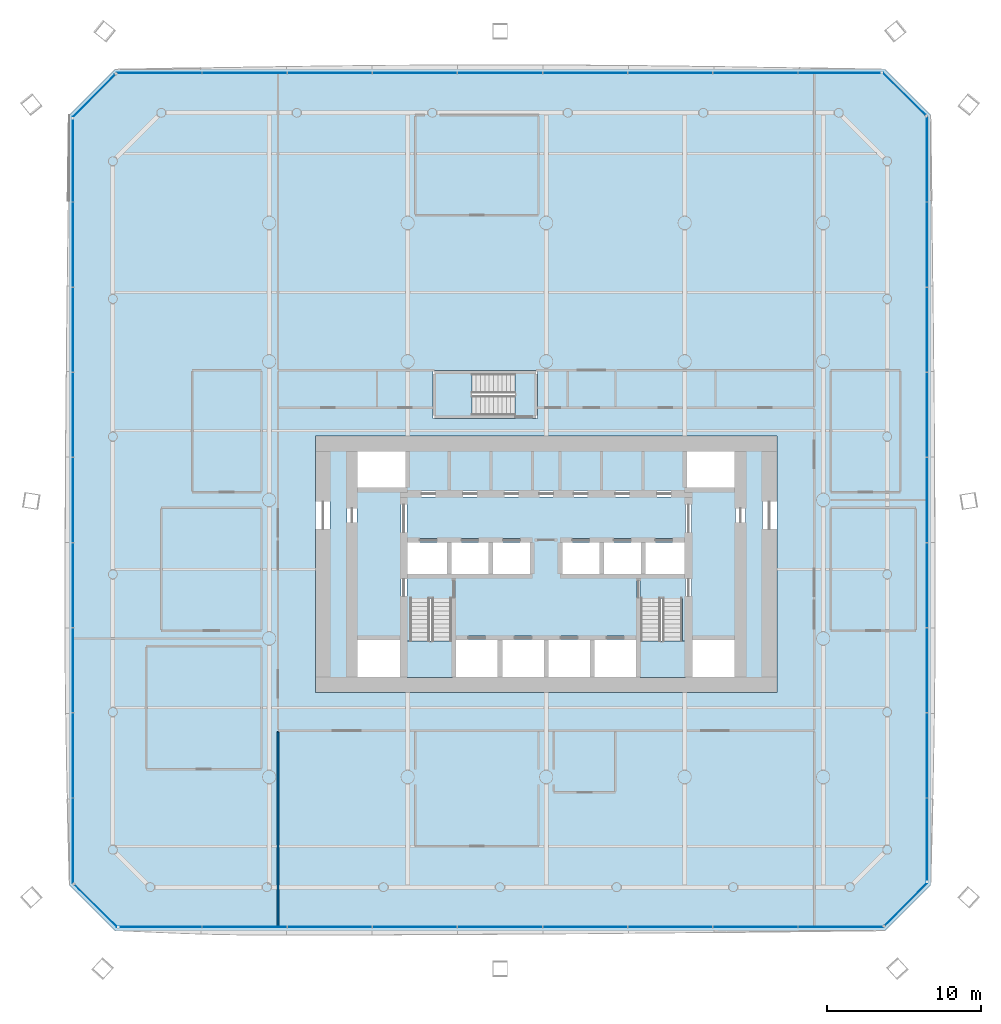
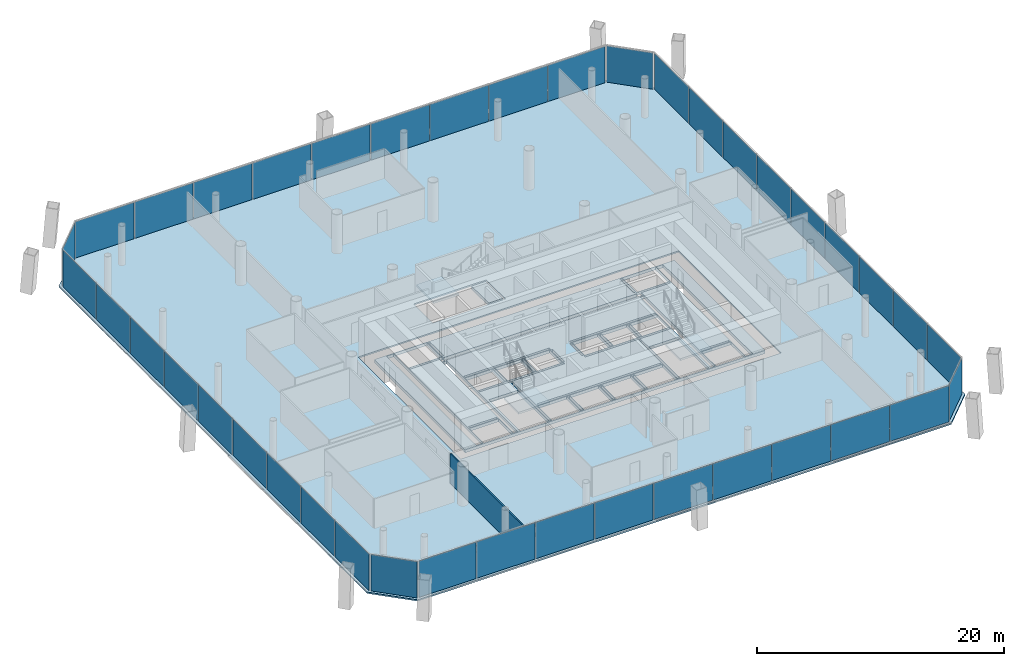
# One storey, part 13 of 22: 40 plates, 6 slabs, 1 wall, 11 elements without a shape of their own.
"""IFC4 building model written with IfcOpenShell, lengths in metres."""

from ifc_helpers import new_model, si_unit, direction, frame, frame_2d, origin, origin_2d, place, context, subcontext, project, spatial, polyline, rectangle, outline, extrude, material, layer, layer_set, type_object, element, aggregate, save


model = new_model("IFC4")

# Units and contexts
model_context = context("Model", 3, precision=1e-05, world=origin(), true_north=direction((0.0, 1.0)))
body_context = subcontext(model_context, "Body", "Model", "MODEL_VIEW")
ifc_project = project(units=[si_unit("LENGTHUNIT", "METRE"), si_unit("AREAUNIT", "SQUARE_METRE"), si_unit("VOLUMEUNIT", "CUBIC_METRE"), si_unit("PLANEANGLEUNIT", "RADIAN"), si_unit("MASSUNIT", "GRAM", prefix="KILO")], contexts=[model_context])

# Site, building, storey
site_placement = place(None, origin())
site = spatial("IfcSite", under=ifc_project, at=site_placement, CompositionType="ELEMENT")
building_placement = place(site_placement, origin())
building = spatial("IfcBuilding", under=site, at=building_placement, Name="Tskaro Facet Tower", CompositionType="ELEMENT")
storey_placement = place(building_placement, frame((0.0, 0.0, 18.60009765625)))
storey = spatial("IfcBuildingStorey", under=building, at=storey_placement, Name="L03", CompositionType="ELEMENT", Elevation=18.60009765625)

# Slab
ifc_material_1 = material(Name="Concrete C30/37", Category="concrete")
ifc_layer_1 = layer(ifc_material_1, 0.139892578125, Name="Concrete C30/37")
ifc_layer_set_1 = layer_set([ifc_layer_1], Name="Concrete C30/37")
slab_type_1 = type_object("IfcSlabType", Name="Composite deck floor slab", PredefinedType="FLOOR", material=ifc_layer_set_1)
slab_1_placement = place(storey_placement, frame((0.0, 0.0, -0.14013671875)))
element("IfcSlab", 1, at=slab_1_placement, inside=storey, type_object=slab_type_1, Name="Floor slab FS3 L03", PredefinedType="FLOOR", context=body_context, shape_type="SweptSolid", body=[
    extrude(outline(polyline([(-28.0, -28.0), (22.0, -28.0), (25.0, -25.0), (25.0, 25.0), (22.0, 28.0), (-28.0, 28.0), (-31.0, 25.0), (-31.0, -25.0), (-28.0, -28.0)]), holes=[polyline([(-15.0, -12.5), (15.0, -12.5), (15.0, 4.14990234375), (-15.0, 4.14990234375), (-15.0, -12.5)]), polyline([(-7.35009765625, 5.300048828125), (-0.550048828125, 5.300048828125), (-0.550048828125, 8.39990234375), (-7.35009765625, 8.39990234375), (-7.35009765625, 5.300048828125)])]), origin(), (0.0, 0.0, 1.0), 0.14013671875),
])

# Curtain wall, plates
ifc_material_2 = material(Name="Bronze anodised aluminium 6063-T6", Category="aluminium")
curtain_wall_type = type_object("IfcCurtainWallType", Name="Bronze office curtain wall (FW1)", PredefinedType="NOTDEFINED", material=ifc_material_2)
curtain_wall_1_placement = place(storey_placement, origin())
curtain_wall_1 = element("IfcCurtainWall", 2, at=curtain_wall_1_placement, inside=storey, type_object=curtain_wall_type, Name="FW1 south facet L03", PredefinedType="NOTDEFINED")
ifc_material_3 = material(Name="Bronze tinted glass", Category="glass")
ifc_layer_2 = layer(ifc_material_3, 0.031982421875, Name="Bronze tinted glass")
ifc_layer_set_2 = layer_set([ifc_layer_2], Name="Bronze tinted glass")
plate_type = type_object("IfcPlateType", Name="FW1 bronze-tinted unit glazing 32", PredefinedType="CURTAIN_PANEL", material=ifc_layer_set_2)
plate_1_placement = place(storey_placement, frame((-25.064697265625, -27.75, -0.000244140625), z_axis=(0.0, 0.0, 1.0), x_axis=(1.0, 0.0, 0.0)))
plate_1 = element("IfcPlate", 3, at=plate_1_placement, type_object=plate_type, Name="FW1 south glazing 1.1", PredefinedType="CURTAIN_PANEL", context=body_context, shape_type="SweptSolid", body=[
    extrude(rectangle(XDim=5.342529296875, YDim=0.031982421875, at=origin_2d()), origin(), (0.0, 0.0, 1.0), 3.60009765625),
])
plate_2_placement = place(storey_placement, frame((-19.597412109375, -27.75, -0.000244140625), z_axis=(0.0, 0.0, 1.0), x_axis=(1.0, 0.0, 0.0)))
plate_2 = element("IfcPlate", 4, at=plate_2_placement, type_object=plate_type, Name="FW1 south glazing 2.1", PredefinedType="CURTAIN_PANEL", context=body_context, shape_type="SweptSolid", body=[
    extrude(rectangle(XDim=5.472412109375, YDim=0.031982421875, at=origin_2d()), origin(), (0.0, 0.0, 1.0), 3.60009765625),
])
plate_3_placement = place(storey_placement, frame((-14.06494140625, -27.75, -0.000244140625), z_axis=(0.0, 0.0, 1.0), x_axis=(1.0, 0.0, 0.0)))
plate_3 = element("IfcPlate", 5, at=plate_3_placement, type_object=plate_type, Name="FW1 south glazing 3.1", PredefinedType="CURTAIN_PANEL", context=body_context, shape_type="SweptSolid", body=[
    extrude(rectangle(XDim=5.472412109375, YDim=0.031982421875, at=origin_2d()), origin(), (0.0, 0.0, 1.0), 3.60009765625),
])
plate_4_placement = place(storey_placement, frame((-8.532470703125, -27.75, -0.000244140625), z_axis=(0.0, 0.0, 1.0), x_axis=(1.0, 0.0, 0.0)))
plate_4 = element("IfcPlate", 6, at=plate_4_placement, type_object=plate_type, Name="FW1 south glazing 4.1", PredefinedType="CURTAIN_PANEL", context=body_context, shape_type="SweptSolid", body=[
    extrude(rectangle(XDim=5.472412109375, YDim=0.031982421875, at=origin_2d()), origin(), (0.0, 0.0, 1.0), 3.60009765625),
])
plate_5_placement = place(storey_placement, frame((-3.0, -27.75, -0.000244140625), z_axis=(0.0, 0.0, 1.0), x_axis=(1.0, 0.0, 0.0)))
plate_5 = element("IfcPlate", 7, at=plate_5_placement, type_object=plate_type, Name="FW1 south glazing 5.1", PredefinedType="CURTAIN_PANEL", context=body_context, shape_type="SweptSolid", body=[
    extrude(rectangle(XDim=5.472412109375, YDim=0.031982421875, at=origin_2d()), origin(), (0.0, 0.0, 1.0), 3.60009765625),
])
plate_6_placement = place(storey_placement, frame((2.532470703125, -27.75, -0.000244140625), z_axis=(0.0, 0.0, 1.0), x_axis=(1.0, 0.0, 0.0)))
plate_6 = element("IfcPlate", 8, at=plate_6_placement, type_object=plate_type, Name="FW1 south glazing 6.1", PredefinedType="CURTAIN_PANEL", context=body_context, shape_type="SweptSolid", body=[
    extrude(rectangle(XDim=5.472412109375, YDim=0.031982421875, at=origin_2d()), origin(), (0.0, 0.0, 1.0), 3.60009765625),
])
plate_7_placement = place(storey_placement, frame((8.06494140625, -27.75, -0.000244140625), z_axis=(0.0, 0.0, 1.0), x_axis=(1.0, 0.0, 0.0)))
plate_7 = element("IfcPlate", 9, at=plate_7_placement, type_object=plate_type, Name="FW1 south glazing 7.1", PredefinedType="CURTAIN_PANEL", context=body_context, shape_type="SweptSolid", body=[
    extrude(rectangle(XDim=5.472412109375, YDim=0.031982421875, at=origin_2d()), origin(), (0.0, 0.0, 1.0), 3.60009765625),
])
plate_8_placement = place(storey_placement, frame((13.597412109375, -27.75, -0.000244140625), z_axis=(0.0, 0.0, 1.0), x_axis=(1.0, 0.0, 0.0)))
plate_8 = element("IfcPlate", 10, at=plate_8_placement, type_object=plate_type, Name="FW1 south glazing 8.1", PredefinedType="CURTAIN_PANEL", context=body_context, shape_type="SweptSolid", body=[
    extrude(rectangle(XDim=5.472412109375, YDim=0.031982421875, at=origin_2d()), origin(), (0.0, 0.0, 1.0), 3.60009765625),
])
plate_9_placement = place(storey_placement, frame((19.144775390625, -27.75, -0.000244140625), z_axis=(0.0, 0.0, 1.0), x_axis=(1.0, 0.0, 0.0)))
plate_9 = element("IfcPlate", 11, at=plate_9_placement, type_object=plate_type, Name="FW1 south glazing 9.1", PredefinedType="CURTAIN_PANEL", context=body_context, shape_type="SweptSolid", body=[
    extrude(rectangle(XDim=5.50244140625, YDim=0.031982421875, at=origin_2d()), origin(), (0.0, 0.0, 1.0), 3.60009765625),
])
aggregate(curtain_wall_1, [plate_1, plate_2, plate_3, plate_4, plate_5, plate_6, plate_7, plate_8, plate_9])

# Curtain wall, plate
curtain_wall_2_placement = place(storey_placement, origin())
curtain_wall_2 = element("IfcCurtainWall", 12, at=curtain_wall_2_placement, inside=storey, type_object=curtain_wall_type, Name="FW1 south-east facet L03", PredefinedType="NOTDEFINED")
plate_10_placement = place(storey_placement, frame((23.379638671875, -26.266357421875, -0.000244140625), z_axis=(0.0, 0.0, 1.0), x_axis=(0.707106781187, 0.707106781187, 0.0)))
plate_10 = element("IfcPlate", 13, at=plate_10_placement, type_object=plate_type, Name="FW1 south-east glazing 1.1", PredefinedType="CURTAIN_PANEL", context=body_context, shape_type="SweptSolid", body=[
    extrude(rectangle(XDim=3.876220703125, YDim=0.031982421875, at=origin_2d()), origin(), (0.0, 0.0, 1.0), 3.60009765625),
])
aggregate(curtain_wall_2, [plate_10])

# Curtain wall, plates
curtain_wall_3_placement = place(storey_placement, origin())
curtain_wall_3 = element("IfcCurtainWall", 14, at=curtain_wall_3_placement, inside=storey, type_object=curtain_wall_type, Name="FW1 east facet L03", PredefinedType="NOTDEFINED")
plate_11_placement = place(storey_placement, frame((24.75, -22.064697265625, -0.000244140625), z_axis=(0.0, 0.0, 1.0), x_axis=(0.0, 1.0, 0.0)))
plate_11 = element("IfcPlate", 15, at=plate_11_placement, type_object=plate_type, Name="FW1 east glazing 1.1", PredefinedType="CURTAIN_PANEL", context=body_context, shape_type="SweptSolid", body=[
    extrude(rectangle(XDim=5.342529296875, YDim=0.031982421875, at=origin_2d()), origin(), (0.0, 0.0, 1.0), 3.60009765625),
])
plate_12_placement = place(storey_placement, frame((24.75, -16.597412109375, -0.000244140625), z_axis=(0.0, 0.0, 1.0), x_axis=(0.0, 1.0, 0.0)))
plate_12 = element("IfcPlate", 16, at=plate_12_placement, type_object=plate_type, Name="FW1 east glazing 2.1", PredefinedType="CURTAIN_PANEL", context=body_context, shape_type="SweptSolid", body=[
    extrude(rectangle(XDim=5.472412109375, YDim=0.031982421875, at=origin_2d()), origin(), (0.0, 0.0, 1.0), 3.60009765625),
])
plate_13_placement = place(storey_placement, frame((24.75, -11.06494140625, -0.000244140625), z_axis=(0.0, 0.0, 1.0), x_axis=(0.0, 1.0, 0.0)))
plate_13 = element("IfcPlate", 17, at=plate_13_placement, type_object=plate_type, Name="FW1 east glazing 3.1", PredefinedType="CURTAIN_PANEL", context=body_context, shape_type="SweptSolid", body=[
    extrude(rectangle(XDim=5.472412109375, YDim=0.031982421875, at=origin_2d()), origin(), (0.0, 0.0, 1.0), 3.60009765625),
])
plate_14_placement = place(storey_placement, frame((24.75, -5.532470703125, -0.000244140625), z_axis=(0.0, 0.0, 1.0), x_axis=(0.0, 1.0, 0.0)))
plate_14 = element("IfcPlate", 18, at=plate_14_placement, type_object=plate_type, Name="FW1 east glazing 4.1", PredefinedType="CURTAIN_PANEL", context=body_context, shape_type="SweptSolid", body=[
    extrude(rectangle(XDim=5.472412109375, YDim=0.031982421875, at=origin_2d()), origin(), (0.0, 0.0, 1.0), 3.60009765625),
])
plate_15_placement = place(storey_placement, frame((24.75, 0.0, -0.000244140625), z_axis=(0.0, 0.0, 1.0), x_axis=(0.0, 1.0, 0.0)))
plate_15 = element("IfcPlate", 19, at=plate_15_placement, type_object=plate_type, Name="FW1 east glazing 5.1", PredefinedType="CURTAIN_PANEL", context=body_context, shape_type="SweptSolid", body=[
    extrude(rectangle(XDim=5.472412109375, YDim=0.031982421875, at=origin_2d()), origin(), (0.0, 0.0, 1.0), 3.60009765625),
])
plate_16_placement = place(storey_placement, frame((24.75, 5.532470703125, -0.000244140625), z_axis=(0.0, 0.0, 1.0), x_axis=(0.0, 1.0, 0.0)))
plate_16 = element("IfcPlate", 20, at=plate_16_placement, type_object=plate_type, Name="FW1 east glazing 6.1", PredefinedType="CURTAIN_PANEL", context=body_context, shape_type="SweptSolid", body=[
    extrude(rectangle(XDim=5.472412109375, YDim=0.031982421875, at=origin_2d()), origin(), (0.0, 0.0, 1.0), 3.60009765625),
])
plate_17_placement = place(storey_placement, frame((24.75, 11.06494140625, -0.000244140625), z_axis=(0.0, 0.0, 1.0), x_axis=(0.0, 1.0, 0.0)))
plate_17 = element("IfcPlate", 21, at=plate_17_placement, type_object=plate_type, Name="FW1 east glazing 7.1", PredefinedType="CURTAIN_PANEL", context=body_context, shape_type="SweptSolid", body=[
    extrude(rectangle(XDim=5.472412109375, YDim=0.031982421875, at=origin_2d()), origin(), (0.0, 0.0, 1.0), 3.60009765625),
])
plate_18_placement = place(storey_placement, frame((24.75, 16.597412109375, -0.000244140625), z_axis=(0.0, 0.0, 1.0), x_axis=(0.0, 1.0, 0.0)))
plate_18 = element("IfcPlate", 22, at=plate_18_placement, type_object=plate_type, Name="FW1 east glazing 8.1", PredefinedType="CURTAIN_PANEL", context=body_context, shape_type="SweptSolid", body=[
    extrude(rectangle(XDim=5.472412109375, YDim=0.031982421875, at=origin_2d()), origin(), (0.0, 0.0, 1.0), 3.60009765625),
])
plate_19_placement = place(storey_placement, frame((24.75, 22.144775390625, -0.000244140625), z_axis=(0.0, 0.0, 1.0), x_axis=(0.0, 1.0, 0.0)))
plate_19 = element("IfcPlate", 23, at=plate_19_placement, type_object=plate_type, Name="FW1 east glazing 9.1", PredefinedType="CURTAIN_PANEL", context=body_context, shape_type="SweptSolid", body=[
    extrude(rectangle(XDim=5.50244140625, YDim=0.031982421875, at=origin_2d()), origin(), (0.0, 0.0, 1.0), 3.60009765625),
])
aggregate(curtain_wall_3, [plate_11, plate_12, plate_13, plate_14, plate_15, plate_16, plate_17, plate_18, plate_19])

# Curtain wall, plate
curtain_wall_4_placement = place(storey_placement, origin())
curtain_wall_4 = element("IfcCurtainWall", 24, at=curtain_wall_4_placement, inside=storey, type_object=curtain_wall_type, Name="FW1 north-east facet L03", PredefinedType="NOTDEFINED")
plate_20_placement = place(storey_placement, frame((23.266357421875, 26.379638671875, -0.000244140625), z_axis=(0.0, 0.0, 1.0), x_axis=(-0.707106781187, 0.707106781187, 0.0)))
plate_20 = element("IfcPlate", 25, at=plate_20_placement, type_object=plate_type, Name="FW1 north-east glazing 1.1", PredefinedType="CURTAIN_PANEL", context=body_context, shape_type="SweptSolid", body=[
    extrude(rectangle(XDim=3.876220703125, YDim=0.031982421875, at=origin_2d()), origin(), (0.0, 0.0, 1.0), 3.60009765625),
])
aggregate(curtain_wall_4, [plate_20])

# Curtain wall, plates
curtain_wall_5_placement = place(storey_placement, origin())
curtain_wall_5 = element("IfcCurtainWall", 26, at=curtain_wall_5_placement, inside=storey, type_object=curtain_wall_type, Name="FW1 north facet L03", PredefinedType="NOTDEFINED")
plate_21_placement = place(storey_placement, frame((19.064697265625, 27.75, -0.000244140625), z_axis=(0.0, 0.0, 1.0), x_axis=(-1.0, 0.0, 0.0)))
plate_21 = element("IfcPlate", 27, at=plate_21_placement, type_object=plate_type, Name="FW1 north glazing 1.1", PredefinedType="CURTAIN_PANEL", context=body_context, shape_type="SweptSolid", body=[
    extrude(rectangle(XDim=5.342529296875, YDim=0.031982421875, at=origin_2d()), origin(), (0.0, 0.0, 1.0), 3.60009765625),
])
plate_22_placement = place(storey_placement, frame((13.597412109375, 27.75, -0.000244140625), z_axis=(0.0, 0.0, 1.0), x_axis=(-1.0, 0.0, 0.0)))
plate_22 = element("IfcPlate", 28, at=plate_22_placement, type_object=plate_type, Name="FW1 north glazing 2.1", PredefinedType="CURTAIN_PANEL", context=body_context, shape_type="SweptSolid", body=[
    extrude(rectangle(XDim=5.472412109375, YDim=0.031982421875, at=origin_2d()), origin(), (0.0, 0.0, 1.0), 3.60009765625),
])
plate_23_placement = place(storey_placement, frame((8.06494140625, 27.75, -0.000244140625), z_axis=(0.0, 0.0, 1.0), x_axis=(-1.0, 0.0, 0.0)))
plate_23 = element("IfcPlate", 29, at=plate_23_placement, type_object=plate_type, Name="FW1 north glazing 3.1", PredefinedType="CURTAIN_PANEL", context=body_context, shape_type="SweptSolid", body=[
    extrude(rectangle(XDim=5.472412109375, YDim=0.031982421875, at=origin_2d()), origin(), (0.0, 0.0, 1.0), 3.60009765625),
])
plate_24_placement = place(storey_placement, frame((2.532470703125, 27.75, -0.000244140625), z_axis=(0.0, 0.0, 1.0), x_axis=(-1.0, 0.0, 0.0)))
plate_24 = element("IfcPlate", 30, at=plate_24_placement, type_object=plate_type, Name="FW1 north glazing 4.1", PredefinedType="CURTAIN_PANEL", context=body_context, shape_type="SweptSolid", body=[
    extrude(rectangle(XDim=5.472412109375, YDim=0.031982421875, at=origin_2d()), origin(), (0.0, 0.0, 1.0), 3.60009765625),
])
plate_25_placement = place(storey_placement, frame((-3.0, 27.75, -0.000244140625), z_axis=(0.0, 0.0, 1.0), x_axis=(-1.0, 0.0, 0.0)))
plate_25 = element("IfcPlate", 31, at=plate_25_placement, type_object=plate_type, Name="FW1 north glazing 5.1", PredefinedType="CURTAIN_PANEL", context=body_context, shape_type="SweptSolid", body=[
    extrude(rectangle(XDim=5.472412109375, YDim=0.031982421875, at=origin_2d()), origin(), (0.0, 0.0, 1.0), 3.60009765625),
])
plate_26_placement = place(storey_placement, frame((-8.532470703125, 27.75, -0.000244140625), z_axis=(0.0, 0.0, 1.0), x_axis=(-1.0, 0.0, 0.0)))
plate_26 = element("IfcPlate", 32, at=plate_26_placement, type_object=plate_type, Name="FW1 north glazing 6.1", PredefinedType="CURTAIN_PANEL", context=body_context, shape_type="SweptSolid", body=[
    extrude(rectangle(XDim=5.472412109375, YDim=0.031982421875, at=origin_2d()), origin(), (0.0, 0.0, 1.0), 3.60009765625),
])
plate_27_placement = place(storey_placement, frame((-14.06494140625, 27.75, -0.000244140625), z_axis=(0.0, 0.0, 1.0), x_axis=(-1.0, 0.0, 0.0)))
plate_27 = element("IfcPlate", 33, at=plate_27_placement, type_object=plate_type, Name="FW1 north glazing 7.1", PredefinedType="CURTAIN_PANEL", context=body_context, shape_type="SweptSolid", body=[
    extrude(rectangle(XDim=5.472412109375, YDim=0.031982421875, at=origin_2d()), origin(), (0.0, 0.0, 1.0), 3.60009765625),
])
plate_28_placement = place(storey_placement, frame((-19.597412109375, 27.75, -0.000244140625), z_axis=(0.0, 0.0, 1.0), x_axis=(-1.0, 0.0, 0.0)))
plate_28 = element("IfcPlate", 34, at=plate_28_placement, type_object=plate_type, Name="FW1 north glazing 8.1", PredefinedType="CURTAIN_PANEL", context=body_context, shape_type="SweptSolid", body=[
    extrude(rectangle(XDim=5.472412109375, YDim=0.031982421875, at=origin_2d()), origin(), (0.0, 0.0, 1.0), 3.60009765625),
])
plate_29_placement = place(storey_placement, frame((-25.144775390625, 27.75, -0.000244140625), z_axis=(0.0, 0.0, 1.0), x_axis=(-1.0, 0.0, 0.0)))
plate_29 = element("IfcPlate", 35, at=plate_29_placement, type_object=plate_type, Name="FW1 north glazing 9.1", PredefinedType="CURTAIN_PANEL", context=body_context, shape_type="SweptSolid", body=[
    extrude(rectangle(XDim=5.50244140625, YDim=0.031982421875, at=origin_2d()), origin(), (0.0, 0.0, 1.0), 3.60009765625),
])
aggregate(curtain_wall_5, [plate_21, plate_22, plate_23, plate_24, plate_25, plate_26, plate_27, plate_28, plate_29])

# Curtain wall, plate
curtain_wall_6_placement = place(storey_placement, origin())
curtain_wall_6 = element("IfcCurtainWall", 36, at=curtain_wall_6_placement, inside=storey, type_object=curtain_wall_type, Name="FW1 north-west facet L03", PredefinedType="NOTDEFINED")
plate_30_placement = place(storey_placement, frame((-29.379638671875, 26.266357421875, -0.000244140625), z_axis=(0.0, 0.0, 1.0), x_axis=(-0.707106781187, -0.707106781187, 0.0)))
plate_30 = element("IfcPlate", 37, at=plate_30_placement, type_object=plate_type, Name="FW1 north-west glazing 1.1", PredefinedType="CURTAIN_PANEL", context=body_context, shape_type="SweptSolid", body=[
    extrude(rectangle(XDim=3.876220703125, YDim=0.031982421875, at=origin_2d()), origin(), (0.0, 0.0, 1.0), 3.60009765625),
])
aggregate(curtain_wall_6, [plate_30])

# Curtain wall, plates
curtain_wall_7_placement = place(storey_placement, origin())
curtain_wall_7 = element("IfcCurtainWall", 38, at=curtain_wall_7_placement, inside=storey, type_object=curtain_wall_type, Name="FW1 west facet L03", PredefinedType="NOTDEFINED")
plate_31_placement = place(storey_placement, frame((-30.75, 22.064697265625, -0.000244140625), z_axis=(0.0, 0.0, 1.0), x_axis=(0.0, -1.0, 0.0)))
plate_31 = element("IfcPlate", 39, at=plate_31_placement, type_object=plate_type, Name="FW1 west glazing 1.1", PredefinedType="CURTAIN_PANEL", context=body_context, shape_type="SweptSolid", body=[
    extrude(rectangle(XDim=5.342529296875, YDim=0.031982421875, at=origin_2d()), origin(), (0.0, 0.0, 1.0), 3.60009765625),
])
plate_32_placement = place(storey_placement, frame((-30.75, 16.597412109375, -0.000244140625), z_axis=(0.0, 0.0, 1.0), x_axis=(0.0, -1.0, 0.0)))
plate_32 = element("IfcPlate", 40, at=plate_32_placement, type_object=plate_type, Name="FW1 west glazing 2.1", PredefinedType="CURTAIN_PANEL", context=body_context, shape_type="SweptSolid", body=[
    extrude(rectangle(XDim=5.472412109375, YDim=0.031982421875, at=origin_2d()), origin(), (0.0, 0.0, 1.0), 3.60009765625),
])
plate_33_placement = place(storey_placement, frame((-30.75, 11.06494140625, -0.000244140625), z_axis=(0.0, 0.0, 1.0), x_axis=(0.0, -1.0, 0.0)))
plate_33 = element("IfcPlate", 41, at=plate_33_placement, type_object=plate_type, Name="FW1 west glazing 3.1", PredefinedType="CURTAIN_PANEL", context=body_context, shape_type="SweptSolid", body=[
    extrude(rectangle(XDim=5.472412109375, YDim=0.031982421875, at=origin_2d()), origin(), (0.0, 0.0, 1.0), 3.60009765625),
])
plate_34_placement = place(storey_placement, frame((-30.75, 5.532470703125, -0.000244140625), z_axis=(0.0, 0.0, 1.0), x_axis=(0.0, -1.0, 0.0)))
plate_34 = element("IfcPlate", 42, at=plate_34_placement, type_object=plate_type, Name="FW1 west glazing 4.1", PredefinedType="CURTAIN_PANEL", context=body_context, shape_type="SweptSolid", body=[
    extrude(rectangle(XDim=5.472412109375, YDim=0.031982421875, at=origin_2d()), origin(), (0.0, 0.0, 1.0), 3.60009765625),
])
plate_35_placement = place(storey_placement, frame((-30.75, 0.0, -0.000244140625), z_axis=(0.0, 0.0, 1.0), x_axis=(0.0, -1.0, 0.0)))
plate_35 = element("IfcPlate", 43, at=plate_35_placement, type_object=plate_type, Name="FW1 west glazing 5.1", PredefinedType="CURTAIN_PANEL", context=body_context, shape_type="SweptSolid", body=[
    extrude(rectangle(XDim=5.472412109375, YDim=0.031982421875, at=origin_2d()), origin(), (0.0, 0.0, 1.0), 3.60009765625),
])
plate_36_placement = place(storey_placement, frame((-30.75, -5.532470703125, -0.000244140625), z_axis=(0.0, 0.0, 1.0), x_axis=(0.0, -1.0, 0.0)))
plate_36 = element("IfcPlate", 44, at=plate_36_placement, type_object=plate_type, Name="FW1 west glazing 6.1", PredefinedType="CURTAIN_PANEL", context=body_context, shape_type="SweptSolid", body=[
    extrude(rectangle(XDim=5.472412109375, YDim=0.031982421875, at=origin_2d()), origin(), (0.0, 0.0, 1.0), 3.60009765625),
])
plate_37_placement = place(storey_placement, frame((-30.75, -11.06494140625, -0.000244140625), z_axis=(0.0, 0.0, 1.0), x_axis=(0.0, -1.0, 0.0)))
plate_37 = element("IfcPlate", 45, at=plate_37_placement, type_object=plate_type, Name="FW1 west glazing 7.1", PredefinedType="CURTAIN_PANEL", context=body_context, shape_type="SweptSolid", body=[
    extrude(rectangle(XDim=5.472412109375, YDim=0.031982421875, at=origin_2d()), origin(), (0.0, 0.0, 1.0), 3.60009765625),
])
plate_38_placement = place(storey_placement, frame((-30.75, -16.597412109375, -0.000244140625), z_axis=(0.0, 0.0, 1.0), x_axis=(0.0, -1.0, 0.0)))
plate_38 = element("IfcPlate", 46, at=plate_38_placement, type_object=plate_type, Name="FW1 west glazing 8.1", PredefinedType="CURTAIN_PANEL", context=body_context, shape_type="SweptSolid", body=[
    extrude(rectangle(XDim=5.472412109375, YDim=0.031982421875, at=origin_2d()), origin(), (0.0, 0.0, 1.0), 3.60009765625),
])
plate_39_placement = place(storey_placement, frame((-30.75, -22.144775390625, -0.000244140625), z_axis=(0.0, 0.0, 1.0), x_axis=(0.0, -1.0, 0.0)))
plate_39 = element("IfcPlate", 47, at=plate_39_placement, type_object=plate_type, Name="FW1 west glazing 9.1", PredefinedType="CURTAIN_PANEL", context=body_context, shape_type="SweptSolid", body=[
    extrude(rectangle(XDim=5.50244140625, YDim=0.031982421875, at=origin_2d()), origin(), (0.0, 0.0, 1.0), 3.60009765625),
])
aggregate(curtain_wall_7, [plate_31, plate_32, plate_33, plate_34, plate_35, plate_36, plate_37, plate_38, plate_39])

# Curtain wall, plate
curtain_wall_8_placement = place(storey_placement, origin())
curtain_wall_8 = element("IfcCurtainWall", 48, at=curtain_wall_8_placement, inside=storey, type_object=curtain_wall_type, Name="FW1 south-west facet L03", PredefinedType="NOTDEFINED")
plate_40_placement = place(storey_placement, frame((-29.266357421875, -26.379638671875, -0.000244140625), z_axis=(0.0, 0.0, 1.0), x_axis=(0.707106781187, -0.707106781187, 0.0)))
plate_40 = element("IfcPlate", 49, at=plate_40_placement, type_object=plate_type, Name="FW1 south-west glazing 1.1", PredefinedType="CURTAIN_PANEL", context=body_context, shape_type="SweptSolid", body=[
    extrude(rectangle(XDim=3.876220703125, YDim=0.031982421875, at=origin_2d()), origin(), (0.0, 0.0, 1.0), 3.60009765625),
])
aggregate(curtain_wall_8, [plate_40])

# Stair, slab
ifc_material_4 = material(Name="Concrete C40/50", Category="concrete")
stair_type = type_object("IfcStairType", Name="ST-TWR", PredefinedType="HALF_TURN_STAIR", material=ifc_material_4)
stair_1_placement = place(storey_placement, origin())
stair_1 = element("IfcStair", 50, at=stair_1_placement, inside=storey, type_object=stair_type, Name="L03 Exit stair 1", PredefinedType="HALF_TURN_STAIR")
ifc_layer_3 = layer(ifc_material_4, 0.199951171875, Name="Concrete C40/50")
ifc_layer_set_3 = layer_set([ifc_layer_3], Name="Concrete C40/50")
slab_type_2 = type_object("IfcSlabType", Name="SL-LANDING", PredefinedType="LANDING", material=ifc_layer_set_3)
slab_2_placement = place(storey_placement, frame((0.0, 0.0, 1.75)))
slab_2 = element("IfcSlab", 51, at=slab_2_placement, type_object=slab_type_2, Name="ST-1 landing 1", PredefinedType="LANDING", context=body_context, shape_type="SweptSolid", body=[
    extrude(outline(polyline([(-9.050048828125, -11.550048828125), (-6.10009765625, -11.550048828125), (-6.10009765625, -9.175048828125), (-9.050048828125, -9.175048828125), (-9.050048828125, -11.550048828125)])), origin(), (0.0, 0.0, 1.0), 0.199951171875),
])
aggregate(stair_1, [slab_2])

stair_2_placement = place(storey_placement, origin())
stair_2 = element("IfcStair", 52, at=stair_2_placement, inside=storey, type_object=stair_type, Name="L03 Exit stair 2", PredefinedType="HALF_TURN_STAIR")
slab_3_placement = place(storey_placement, frame((0.0, 0.0, 1.75)))
slab_3 = element("IfcSlab", 53, at=slab_3_placement, type_object=slab_type_2, Name="ST-2 landing 1", PredefinedType="LANDING", context=body_context, shape_type="SweptSolid", body=[
    extrude(outline(polyline([(6.10009765625, -11.550048828125), (9.050048828125, -11.550048828125), (9.050048828125, -9.175048828125), (6.10009765625, -9.175048828125), (6.10009765625, -11.550048828125)])), origin(), (0.0, 0.0, 1.0), 0.199951171875),
])
aggregate(stair_2, [slab_3])

stair_3_placement = place(storey_placement, origin())
stair_3 = element("IfcStair", 54, at=stair_3_placement, inside=storey, type_object=stair_type, Name="L03 Exit stair 3", PredefinedType="HALF_TURN_STAIR")
slab_4_placement = place(storey_placement, frame((0.0, 0.0, 1.75)))
slab_4 = element("IfcSlab", 55, at=slab_4_placement, type_object=slab_type_2, Name="ST-3 landing 1", PredefinedType="LANDING", context=body_context, shape_type="SweptSolid", body=[
    extrude(outline(polyline([(-7.199951171875, 5.449951171875), (-4.824951171875, 5.449951171875), (-4.824951171875, 8.25), (-7.199951171875, 8.25), (-7.199951171875, 5.449951171875)])), origin(), (0.0, 0.0, 1.0), 0.199951171875),
])
aggregate(stair_3, [slab_4])

# Slabs
ifc_material_5 = material(Name="Concrete C60/75", Category="concrete")
ifc_layer_4 = layer(ifc_material_5, 0.300048828125, Name="Concrete C60/75")
ifc_layer_set_4 = layer_set([ifc_layer_4], Name="Concrete C60/75")
slab_type_3 = type_object("IfcSlabType", Name="SLAB-CORE", PredefinedType="FLOOR", material=ifc_layer_set_4)
slab_5_placement = place(storey_placement, frame((0.0, 0.0, -0.300048828125)))
element("IfcSlab", 56, at=slab_5_placement, inside=storey, type_object=slab_type_3, Name="Core floor slab 1", PredefinedType="FLOOR", context=body_context, shape_type="SweptSolid", body=[
    extrude(outline(polyline([(-14.050048828125, 3.199951171875), (14.050048828125, 3.199951171875), (14.050048828125, 3.10009765625), (14.050048828125, -11.449951171875), (14.050048828125, -11.550048828125), (-14.050048828125, -11.550048828125), (-14.050048828125, -11.449951171875), (-14.050048828125, 3.10009765625), (-14.050048828125, 3.199951171875)]), holes=[polyline([(-9.5, -9.10009765625), (-12.25, -9.10009765625), (-12.25, -11.5), (-9.5, -11.5), (-9.5, -9.10009765625)]), polyline([(-3.14990234375, -9.10009765625), (-5.85009765625, -9.10009765625), (-5.85009765625, -11.5), (-3.14990234375, -11.5), (-3.14990234375, -9.10009765625)]), polyline([(-12.199951171875, -8.85009765625), (-12.199951171875, -9.050048828125), (-9.550048828125, -9.050048828125), (-9.550048828125, -8.85009765625), (-12.199951171875, -8.85009765625)]), polyline([(-6.10009765625, -11.449951171875), (-5.89990234375, -11.449951171875), (-5.89990234375, -5.14990234375), (-6.10009765625, -5.14990234375), (-6.10009765625, -11.449951171875)]), polyline([(-9.449951171875, 0.10009765625), (-9.449951171875, -11.449951171875), (-9.050048828125, -11.449951171875), (-9.050048828125, 0.10009765625), (-9.449951171875, 0.10009765625)]), polyline([(-8.949951171875, -4.85009765625), (-8.949951171875, -5.050048828125), (-0.949951171875, -5.050048828125), (-0.949951171875, -4.85009765625), (-8.949951171875, -4.85009765625)]), polyline([(-12.949951171875, -11.449951171875), (-12.300048828125, -11.449951171875), (-12.300048828125, 3.10009765625), (-12.949951171875, 3.10009765625), (-12.949951171875, -11.449951171875)]), polyline([(-6.449951171875, -4.800048828125), (-6.449951171875, -2.75), (-9.0, -2.75), (-9.0, -4.800048828125), (-6.449951171875, -4.800048828125)]), polyline([(-6.14990234375, -4.800048828125), (-3.75, -4.800048828125), (-3.75, -2.75), (-6.14990234375, -2.75), (-6.14990234375, -4.800048828125)]), polyline([(-6.39990234375, -2.800048828125), (-6.39990234375, -4.75), (-6.199951171875, -4.75), (-6.199951171875, -2.800048828125), (-6.39990234375, -2.800048828125)]), polyline([(-8.949951171875, -2.5), (-8.949951171875, -2.699951171875), (-0.949951171875, -2.699951171875), (-0.949951171875, -2.5), (-8.949951171875, -2.5)]), polyline([(9.449951171875, 0.550048828125), (12.199951171875, 0.550048828125), (12.199951171875, 0.75), (9.050048828125, 0.75), (9.050048828125, 0.60009765625), (-9.050048828125, 0.60009765625), (-9.050048828125, 0.75), (-12.199951171875, 0.75), (-12.199951171875, 0.550048828125), (-9.449951171875, 0.550048828125), (-9.449951171875, 0.199951171875), (9.449951171875, 0.199951171875), (9.449951171875, 0.550048828125)]), polyline([(-9.10009765625, 3.10009765625), (-9.10009765625, 0.85009765625), (-8.89990234375, 0.85009765625), (-8.89990234375, 3.10009765625), (-9.10009765625, 3.10009765625)]), polyline([(-9.14990234375, 0.800048828125), (-9.14990234375, 3.14990234375), (-12.25, 3.14990234375), (-12.25, 0.800048828125), (-9.14990234375, 0.800048828125)]), polyline([(2.89990234375, -11.449951171875), (3.10009765625, -11.449951171875), (3.10009765625, -9.14990234375), (2.89990234375, -9.14990234375), (2.89990234375, -11.449951171875)]), polyline([(-3.10009765625, -9.14990234375), (-3.10009765625, -11.449951171875), (-2.89990234375, -11.449951171875), (-2.89990234375, -9.14990234375), (-3.10009765625, -9.14990234375)]), polyline([(2.85009765625, -9.10009765625), (0.14990234375, -9.10009765625), (0.14990234375, -11.5), (2.85009765625, -11.5), (2.85009765625, -9.10009765625)]), polyline([(-0.14990234375, -9.10009765625), (-2.85009765625, -9.10009765625), (-2.85009765625, -11.5), (-0.14990234375, -11.5), (-0.14990234375, -9.10009765625)]), polyline([(-0.10009765625, -9.14990234375), (-0.10009765625, -11.449951171875), (0.10009765625, -11.449951171875), (0.10009765625, -9.14990234375), (-0.10009765625, -9.14990234375)]), polyline([(-5.800048828125, -8.85009765625), (-5.800048828125, -9.050048828125), (5.800048828125, -9.050048828125), (5.800048828125, -8.85009765625), (-5.800048828125, -8.85009765625)]), polyline([(-1.0, -2.800048828125), (-1.0, -4.75), (-0.800048828125, -4.75), (-0.800048828125, -2.800048828125), (-1.0, -2.800048828125)]), polyline([(0.800048828125, -4.75), (1.0, -4.75), (1.0, -2.800048828125), (0.800048828125, -2.800048828125), (0.800048828125, -4.75)]), polyline([(-3.449951171875, -2.75), (-3.449951171875, -4.800048828125), (-1.050048828125, -4.800048828125), (-1.050048828125, -2.75), (-3.449951171875, -2.75)]), polyline([(1.050048828125, -4.800048828125), (3.449951171875, -4.800048828125), (3.449951171875, -2.75), (1.050048828125, -2.75), (1.050048828125, -4.800048828125)]), polyline([(-3.699951171875, -4.75), (-3.5, -4.75), (-3.5, -2.800048828125), (-3.699951171875, -2.800048828125), (-3.699951171875, -4.75)]), polyline([(3.14990234375, -9.10009765625), (3.14990234375, -11.5), (5.85009765625, -11.5), (5.85009765625, -9.10009765625), (3.14990234375, -9.10009765625)]), polyline([(12.25, -11.5), (12.25, -9.10009765625), (9.5, -9.10009765625), (9.5, -11.5), (12.25, -11.5)]), polyline([(9.550048828125, -8.85009765625), (9.550048828125, -9.050048828125), (12.199951171875, -9.050048828125), (12.199951171875, -8.85009765625), (9.550048828125, -8.85009765625)]), polyline([(5.89990234375, -11.449951171875), (6.10009765625, -11.449951171875), (6.10009765625, -5.14990234375), (5.89990234375, -5.14990234375), (5.89990234375, -11.449951171875)]), polyline([(9.050048828125, 0.10009765625), (9.050048828125, -11.449951171875), (9.449951171875, -11.449951171875), (9.449951171875, 0.10009765625), (9.050048828125, 0.10009765625)]), polyline([(0.949951171875, -4.85009765625), (0.949951171875, -5.050048828125), (8.949951171875, -5.050048828125), (8.949951171875, -4.85009765625), (0.949951171875, -4.85009765625)]), polyline([(12.300048828125, -11.449951171875), (12.949951171875, -11.449951171875), (12.949951171875, 3.10009765625), (12.300048828125, 3.10009765625), (12.300048828125, -11.449951171875)]), polyline([(3.5, -2.800048828125), (3.5, -4.75), (3.699951171875, -4.75), (3.699951171875, -2.800048828125), (3.5, -2.800048828125)]), polyline([(6.14990234375, -2.75), (3.75, -2.75), (3.75, -4.800048828125), (6.14990234375, -4.800048828125), (6.14990234375, -2.75)]), polyline([(6.199951171875, -2.800048828125), (6.199951171875, -4.75), (6.39990234375, -4.75), (6.39990234375, -2.800048828125), (6.199951171875, -2.800048828125)]), polyline([(6.449951171875, -2.75), (6.449951171875, -4.800048828125), (9.0, -4.800048828125), (9.0, -2.75), (6.449951171875, -2.75)]), polyline([(0.949951171875, -2.5), (0.949951171875, -2.699951171875), (8.949951171875, -2.699951171875), (8.949951171875, -2.5), (0.949951171875, -2.5)]), polyline([(8.89990234375, 3.10009765625), (8.89990234375, 0.85009765625), (9.10009765625, 0.85009765625), (9.10009765625, 3.10009765625), (8.89990234375, 3.10009765625)]), polyline([(9.14990234375, 0.800048828125), (12.25, 0.800048828125), (12.25, 3.14990234375), (9.14990234375, 3.14990234375), (9.14990234375, 0.800048828125)]), polyline([(-8.85009765625, -11.5), (-6.14990234375, -11.5), (-6.14990234375, -6.39501953125), (-8.85009765625, -6.39501953125), (-8.85009765625, -11.5)]), polyline([(6.14990234375, -6.39501953125), (6.14990234375, -11.5), (8.85009765625, -11.5), (8.85009765625, -6.39501953125), (6.14990234375, -6.39501953125)])]), origin(), (0.0, 0.0, 1.0), 0.300048828125),
])
slab_6_placement = place(storey_placement, frame((0.0, 0.0, -0.300048828125)))
element("IfcSlab", 57, at=slab_6_placement, inside=storey, type_object=slab_type_3, Name="Stair 3 floor landing 1", PredefinedType="FLOOR", context=body_context, shape_type="SweptSolid", body=[
    extrude(outline(polyline([(-2.02490234375, 5.449951171875), (-0.699951171875, 5.449951171875), (-0.699951171875, 8.25), (-2.02490234375, 8.25), (-2.02490234375, 5.449951171875)])), origin(), (0.0, 0.0, 1.0), 0.300048828125),
])

# Wall
ifc_material_6 = material(Name="Gypsum board on steel studs", Category="steel")
ifc_layer_5 = layer(ifc_material_6, 0.125, Name="Gypsum board on steel studs")
ifc_layer_set_5 = layer_set([ifc_layer_5], Name="Gypsum board on steel studs")
wall_type = type_object("IfcWallType", Name="PART", PredefinedType="PARTITIONING", material=ifc_layer_set_5)
wall_placement = place(storey_placement, frame((-17.425048828125, -27.699951171875, 0.0), z_axis=(0.0, 0.0, 1.0), x_axis=(0.0, 1.0, 0.0)))
element("IfcWall", 58, at=wall_placement, inside=storey, type_object=wall_type, Name="Partition W042", PredefinedType="PARTITIONING", context=body_context, shape_type="SweptSolid", body=[
    extrude(rectangle(XDim=12.625, YDim=0.125, at=frame_2d((6.3125, 0.0))), origin(), (0.0, 0.0, 1.0), 2.9599609375),
])

save(model, "model.ifc")
